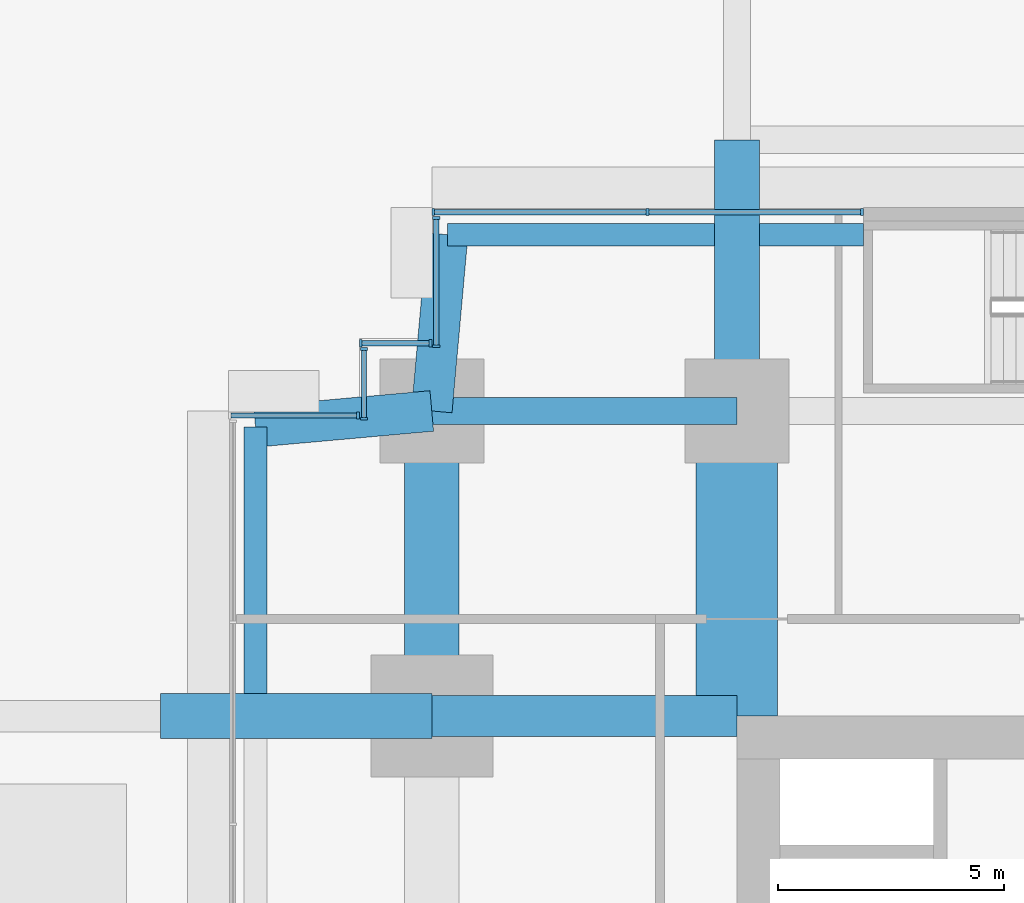
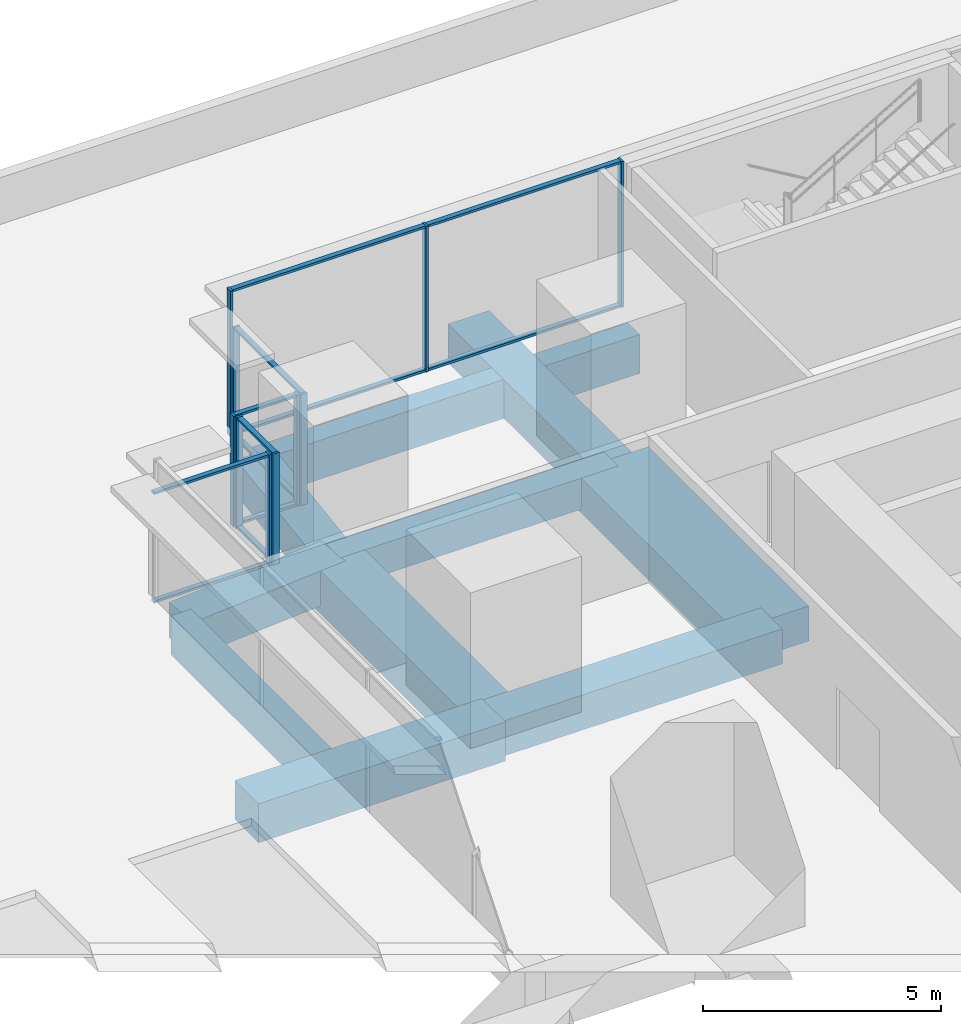
# One storey, part 17 of 34: 22 members, 11 beams, 5 elements without a shape of their own.
"""IFC4 building model written with IfcOpenShell, lengths in metres."""

from ifc_helpers import new_model, si_unit, direction, frame, origin, origin_2d, place, context, subcontext, project, spatial, rectangle, extrude, material, layer, layer_set, material_profile, profile_set, type_object, element, aggregate, save


model = new_model("IFC4")

# Units and contexts
model_context = context("Model", 3, precision=1e-05, world=origin(), true_north=direction((0.0, 1.0)))
body_context = subcontext(model_context, "Body", "Model", "MODEL_VIEW")
ifc_project = project(units=[si_unit("LENGTHUNIT", "METRE"), si_unit("AREAUNIT", "SQUARE_METRE"), si_unit("VOLUMEUNIT", "CUBIC_METRE"), si_unit("PLANEANGLEUNIT", "RADIAN"), si_unit("MASSUNIT", "GRAM", prefix="KILO")], contexts=[model_context])

# Site, building, storey
site_placement = place(None, origin())
site = spatial("IfcSite", under=ifc_project, at=site_placement, CompositionType="ELEMENT")
building_placement = place(site_placement, origin())
building = spatial("IfcBuilding", under=site, at=building_placement, Name="Namib Vertical Campus", CompositionType="ELEMENT")
storey_placement = place(building_placement, frame((0.0, 0.0, 21.0)))
storey = spatial("IfcBuildingStorey", under=building, at=storey_placement, Name="L04", CompositionType="ELEMENT", Elevation=21.0)

# Curtain wall, members
ifc_material_1 = material(Name="Black aluminium curtain wall", Category="aluminium")
ifc_layer = layer(ifc_material_1, 0.199951171875)
ifc_layer_set = layer_set([ifc_layer], Name="Lounge curtain wall CW-L4")
curtain_wall_type = type_object("IfcCurtainWallType", Name="Lounge curtain wall CW-L4", PredefinedType="USERDEFINED", material=ifc_layer_set)
curtain_wall_1_placement = place(storey_placement, origin())
curtain_wall_1 = element("IfcCurtainWall", 1, at=curtain_wall_1_placement, inside=storey, type_object=curtain_wall_type, Name="Curtain wall CW-L4 L04 F11-2", ObjectType="CURTAIN WALL", PredefinedType="USERDEFINED")
ifc_material_2 = material(Name="Black anodised aluminium", Category="aluminium")
ifc_material_profile_1 = material_profile(ifc_material_2, rectangle(XDim=0.06005859375, YDim=0.159912109375, at=origin_2d()))
ifc_profile_set_1 = profile_set([ifc_material_profile_1], Name="Black anodised aluminium")
member_type_1 = type_object("IfcMemberType", Name="Curtain wall mullion 60x160", PredefinedType="MULLION", material=ifc_profile_set_1)
member_1_placement = place(storey_placement, frame((77.02001953125, 40.39990234375, 0.0), z_axis=(0.0, 0.0, 1.0), x_axis=(-1.0, 0.0, 0.0)))
member_1 = element("IfcMember", 2, at=member_1_placement, type_object=member_type_1, Name="CW-L4 mullion 1", PredefinedType="MULLION", context=body_context, shape_type="SweptSolid", body=[
    extrude(rectangle(XDim=0.06005859375, YDim=0.159912109375, at=origin_2d()), origin(), (0.0, 0.0, 1.0), 3.75),
])
member_2_placement = place(storey_placement, frame((72.27490234375, 40.39990234375, 0.0), z_axis=(0.0, 0.0, 1.0), x_axis=(-1.0, 0.0, 0.0)))
member_2 = element("IfcMember", 3, at=member_2_placement, type_object=member_type_1, Name="CW-L4 mullion 2", PredefinedType="MULLION", context=body_context, shape_type="SweptSolid", body=[
    extrude(rectangle(XDim=0.06005859375, YDim=0.159912109375, at=origin_2d()), origin(), (0.0, 0.0, 1.0), 3.75),
])
member_3_placement = place(storey_placement, frame((67.530029296875, 40.39990234375, 0.0), z_axis=(0.0, 0.0, 1.0), x_axis=(-1.0, 0.0, 0.0)))
member_3 = element("IfcMember", 4, at=member_3_placement, type_object=member_type_1, Name="CW-L4 mullion 3", PredefinedType="MULLION", context=body_context, shape_type="SweptSolid", body=[
    extrude(rectangle(XDim=0.06005859375, YDim=0.159912109375, at=origin_2d()), origin(), (0.0, 0.0, 1.0), 3.75),
])

curtain_wall_2_placement = place(storey_placement, origin())
curtain_wall_2 = element("IfcCurtainWall", 5, at=curtain_wall_2_placement, inside=storey, type_object=curtain_wall_type, Name="Curtain wall CW-L4 L04 F12-1", ObjectType="CURTAIN WALL", PredefinedType="USERDEFINED")
member_4_placement = place(storey_placement, frame((67.60009765625, 40.27001953125, 0.0), z_axis=(0.0, 0.0, 1.0), x_axis=(0.0, -1.0, 0.0)))
member_4 = element("IfcMember", 6, at=member_4_placement, type_object=member_type_1, Name="CW-L4 mullion 1", PredefinedType="MULLION", context=body_context, shape_type="SweptSolid", body=[
    extrude(rectangle(XDim=0.06005859375, YDim=0.159912109375, at=origin_2d()), origin(), (0.0, 0.0, 1.0), 2.85009765625),
])
member_5_placement = place(storey_placement, frame((67.60009765625, 37.429931640625, 0.0), z_axis=(0.0, 0.0, 1.0), x_axis=(0.0, -1.0, 0.0)))
member_5 = element("IfcMember", 7, at=member_5_placement, type_object=member_type_1, Name="CW-L4 mullion 2", PredefinedType="MULLION", context=body_context, shape_type="SweptSolid", body=[
    extrude(rectangle(XDim=0.06005859375, YDim=0.159912109375, at=origin_2d()), origin(), (0.0, 0.0, 1.0), 2.85009765625),
])

curtain_wall_3_placement = place(storey_placement, origin())
curtain_wall_3 = element("IfcCurtainWall", 8, at=curtain_wall_3_placement, inside=storey, type_object=curtain_wall_type, Name="Curtain wall CW-L4 L04 F13-1", ObjectType="CURTAIN WALL", PredefinedType="USERDEFINED")
member_6_placement = place(storey_placement, frame((67.469970703125, 37.5, 0.0), z_axis=(0.0, 0.0, 1.0), x_axis=(-1.0, 0.0, 0.0)))
member_6 = element("IfcMember", 9, at=member_6_placement, type_object=member_type_1, Name="CW-L4 mullion 1", PredefinedType="MULLION", context=body_context, shape_type="SweptSolid", body=[
    extrude(rectangle(XDim=0.06005859375, YDim=0.159912109375, at=origin_2d()), origin(), (0.0, 0.0, 1.0), 2.85009765625),
])
member_7_placement = place(storey_placement, frame((65.929931640625, 37.5, 0.0), z_axis=(0.0, 0.0, 1.0), x_axis=(-1.0, 0.0, 0.0)))
member_7 = element("IfcMember", 10, at=member_7_placement, type_object=member_type_1, Name="CW-L4 mullion 2", PredefinedType="MULLION", context=body_context, shape_type="SweptSolid", body=[
    extrude(rectangle(XDim=0.06005859375, YDim=0.159912109375, at=origin_2d()), origin(), (0.0, 0.0, 1.0), 2.85009765625),
])

curtain_wall_4_placement = place(storey_placement, origin())
curtain_wall_4 = element("IfcCurtainWall", 11, at=curtain_wall_4_placement, inside=storey, type_object=curtain_wall_type, Name="Curtain wall CW-L4 L04 F14-1", ObjectType="CURTAIN WALL", PredefinedType="USERDEFINED")
member_8_placement = place(storey_placement, frame((66.0, 37.3701171875, 0.0), z_axis=(0.0, 0.0, 1.0), x_axis=(0.0, -1.0, 0.0)))
member_8 = element("IfcMember", 12, at=member_8_placement, type_object=member_type_1, Name="CW-L4 mullion 1", PredefinedType="MULLION", context=body_context, shape_type="SweptSolid", body=[
    extrude(rectangle(XDim=0.06005859375, YDim=0.159912109375, at=origin_2d()), origin(), (0.0, 0.0, 1.0), 2.85009765625),
])
member_9_placement = place(storey_placement, frame((66.0, 35.830078125, 0.0), z_axis=(0.0, 0.0, 1.0), x_axis=(0.0, -1.0, 0.0)))
member_9 = element("IfcMember", 13, at=member_9_placement, type_object=member_type_1, Name="CW-L4 mullion 2", PredefinedType="MULLION", context=body_context, shape_type="SweptSolid", body=[
    extrude(rectangle(XDim=0.06005859375, YDim=0.159912109375, at=origin_2d()), origin(), (0.0, 0.0, 1.0), 2.85009765625),
])

# Curtain wall, member
curtain_wall_5_placement = place(storey_placement, origin())
curtain_wall_5 = element("IfcCurtainWall", 14, at=curtain_wall_5_placement, inside=storey, type_object=curtain_wall_type, Name="Curtain wall CW-L4 L04 F15-1", ObjectType="CURTAIN WALL", PredefinedType="USERDEFINED")
member_10_placement = place(storey_placement, frame((65.8701171875, 35.89990234375, 0.0), z_axis=(0.0, 0.0, 1.0), x_axis=(-1.0, 0.0, 0.0)))
member_10 = element("IfcMember", 15, at=member_10_placement, type_object=member_type_1, Name="CW-L4 mullion 1", PredefinedType="MULLION", context=body_context, shape_type="SweptSolid", body=[
    extrude(rectangle(XDim=0.06005859375, YDim=0.159912109375, at=origin_2d()), origin(), (0.0, 0.0, 1.0), 2.85009765625),
])

# Member
ifc_material_3 = material(Name="Black anodised aluminium", Category="aluminium")
ifc_material_profile_2 = material_profile(ifc_material_3, rectangle(XDim=0.06005859375, YDim=0.1201171875, at=origin_2d()))
ifc_profile_set_2 = profile_set([ifc_material_profile_2], Name="Black anodised aluminium")
member_type_2 = type_object("IfcMemberType", Name="Curtain wall transom 60x120", PredefinedType="USERDEFINED", material=ifc_profile_set_2)
member_11_placement = place(storey_placement, frame((76.989990234375, 40.39990234375, 0.030029296875), z_axis=(-1.0, 0.0, 0.0), x_axis=(0.0, 0.0, 1.0)))
member_11 = element("IfcMember", 16, at=member_11_placement, type_object=member_type_2, Name="CW-L4 transom 1.1", ObjectType="TRANSOM", PredefinedType="USERDEFINED", context=body_context, shape_type="SweptSolid", body=[
    extrude(rectangle(XDim=0.06005859375, YDim=0.1201171875, at=origin_2d()), origin(), (0.0, 0.0, 1.0), 4.68505859375),
])

member_12_placement = place(storey_placement, frame((76.989990234375, 40.39990234375, 3.719970703125), z_axis=(-1.0, 0.0, 0.0), x_axis=(0.0, 0.0, 1.0)))
member_12 = element("IfcMember", 17, at=member_12_placement, type_object=member_type_2, Name="CW-L4 transom 1.2", ObjectType="TRANSOM", PredefinedType="USERDEFINED", context=body_context, shape_type="SweptSolid", body=[
    extrude(rectangle(XDim=0.06005859375, YDim=0.1201171875, at=origin_2d()), origin(), (0.0, 0.0, 1.0), 4.68505859375),
])

member_13_placement = place(storey_placement, frame((72.2451171875, 40.39990234375, 0.030029296875), z_axis=(-1.0, 0.0, 0.0), x_axis=(0.0, 0.0, 1.0)))
member_13 = element("IfcMember", 18, at=member_13_placement, type_object=member_type_2, Name="CW-L4 transom 2.1", ObjectType="TRANSOM", PredefinedType="USERDEFINED", context=body_context, shape_type="SweptSolid", body=[
    extrude(rectangle(XDim=0.06005859375, YDim=0.1201171875, at=origin_2d()), origin(), (0.0, 0.0, 1.0), 4.68505859375),
])

member_14_placement = place(storey_placement, frame((72.2451171875, 40.39990234375, 3.719970703125), z_axis=(-1.0, 0.0, 0.0), x_axis=(0.0, 0.0, 1.0)))
member_14 = element("IfcMember", 19, at=member_14_placement, type_object=member_type_2, Name="CW-L4 transom 2.2", ObjectType="TRANSOM", PredefinedType="USERDEFINED", context=body_context, shape_type="SweptSolid", body=[
    extrude(rectangle(XDim=0.06005859375, YDim=0.1201171875, at=origin_2d()), origin(), (0.0, 0.0, 1.0), 4.68505859375),
])

aggregate(curtain_wall_1, [member_1, member_2, member_3, member_11, member_12, member_13, member_14])

member_15_placement = place(storey_placement, frame((67.60009765625, 40.239990234375, 0.030029296875), z_axis=(0.0, -1.0, 0.0), x_axis=(0.0, 0.0, 1.0)))
member_15 = element("IfcMember", 20, at=member_15_placement, type_object=member_type_2, Name="CW-L4 transom 1.1", ObjectType="TRANSOM", PredefinedType="USERDEFINED", context=body_context, shape_type="SweptSolid", body=[
    extrude(rectangle(XDim=0.06005859375, YDim=0.1201171875, at=origin_2d()), origin(), (0.0, 0.0, 1.0), 2.780029296875),
])

member_16_placement = place(storey_placement, frame((67.60009765625, 40.239990234375, 2.820068359375), z_axis=(0.0, -1.0, 0.0), x_axis=(0.0, 0.0, 1.0)))
member_16 = element("IfcMember", 21, at=member_16_placement, type_object=member_type_2, Name="CW-L4 transom 1.2", ObjectType="TRANSOM", PredefinedType="USERDEFINED", context=body_context, shape_type="SweptSolid", body=[
    extrude(rectangle(XDim=0.06005859375, YDim=0.1201171875, at=origin_2d()), origin(), (0.0, 0.0, 1.0), 2.780029296875),
])

aggregate(curtain_wall_2, [member_4, member_5, member_15, member_16])

member_17_placement = place(storey_placement, frame((67.43994140625, 37.5, 0.030029296875), z_axis=(-1.0, 0.0, 0.0), x_axis=(0.0, 0.0, 1.0)))
member_17 = element("IfcMember", 22, at=member_17_placement, type_object=member_type_2, Name="CW-L4 transom 1.1", ObjectType="TRANSOM", PredefinedType="USERDEFINED", context=body_context, shape_type="SweptSolid", body=[
    extrude(rectangle(XDim=0.06005859375, YDim=0.1201171875, at=origin_2d()), origin(), (0.0, 0.0, 1.0), 1.47998046875),
])

member_18_placement = place(storey_placement, frame((67.43994140625, 37.5, 2.820068359375), z_axis=(-1.0, 0.0, 0.0), x_axis=(0.0, 0.0, 1.0)))
member_18 = element("IfcMember", 23, at=member_18_placement, type_object=member_type_2, Name="CW-L4 transom 1.2", ObjectType="TRANSOM", PredefinedType="USERDEFINED", context=body_context, shape_type="SweptSolid", body=[
    extrude(rectangle(XDim=0.06005859375, YDim=0.1201171875, at=origin_2d()), origin(), (0.0, 0.0, 1.0), 1.47998046875),
])

aggregate(curtain_wall_3, [member_6, member_7, member_17, member_18])

member_19_placement = place(storey_placement, frame((66.0, 37.340087890625, 0.030029296875), z_axis=(0.0, -1.0, 0.0), x_axis=(0.0, 0.0, 1.0)))
member_19 = element("IfcMember", 24, at=member_19_placement, type_object=member_type_2, Name="CW-L4 transom 1.1", ObjectType="TRANSOM", PredefinedType="USERDEFINED", context=body_context, shape_type="SweptSolid", body=[
    extrude(rectangle(XDim=0.06005859375, YDim=0.1201171875, at=origin_2d()), origin(), (0.0, 0.0, 1.0), 1.47998046875),
])

member_20_placement = place(storey_placement, frame((66.0, 37.340087890625, 2.820068359375), z_axis=(0.0, -1.0, 0.0), x_axis=(0.0, 0.0, 1.0)))
member_20 = element("IfcMember", 25, at=member_20_placement, type_object=member_type_2, Name="CW-L4 transom 1.2", ObjectType="TRANSOM", PredefinedType="USERDEFINED", context=body_context, shape_type="SweptSolid", body=[
    extrude(rectangle(XDim=0.06005859375, YDim=0.1201171875, at=origin_2d()), origin(), (0.0, 0.0, 1.0), 1.47998046875),
])

aggregate(curtain_wall_4, [member_8, member_9, member_19, member_20])

member_21_placement = place(storey_placement, frame((65.840087890625, 35.89990234375, 0.030029296875), z_axis=(-1.0, 0.0, 0.0), x_axis=(0.0, 0.0, 1.0)))
member_21 = element("IfcMember", 26, at=member_21_placement, type_object=member_type_2, Name="CW-L4 transom 1.1", ObjectType="TRANSOM", PredefinedType="USERDEFINED", context=body_context, shape_type="SweptSolid", body=[
    extrude(rectangle(XDim=0.06005859375, YDim=0.1201171875, at=origin_2d()), origin(), (0.0, 0.0, 1.0), 2.780029296875),
])

member_22_placement = place(storey_placement, frame((65.840087890625, 35.89990234375, 2.820068359375), z_axis=(-1.0, 0.0, 0.0), x_axis=(0.0, 0.0, 1.0)))
member_22 = element("IfcMember", 27, at=member_22_placement, type_object=member_type_2, Name="CW-L4 transom 1.2", ObjectType="TRANSOM", PredefinedType="USERDEFINED", context=body_context, shape_type="SweptSolid", body=[
    extrude(rectangle(XDim=0.06005859375, YDim=0.1201171875, at=origin_2d()), origin(), (0.0, 0.0, 1.0), 2.780029296875),
])

aggregate(curtain_wall_5, [member_10, member_21, member_22])

# Beams
ifc_material_4 = material(Name="Concrete C40/50", Category="concrete")
ifc_material_profile_3 = material_profile(ifc_material_4, rectangle(XDim=0.89990234375, YDim=0.89990234375, at=origin_2d()))
ifc_profile_set_3 = profile_set([ifc_material_profile_3], Name="Concrete C40/50")
beam_type_1 = type_object("IfcBeamType", Name="Face girder RC 900x900", PredefinedType="BEAM", material=ifc_profile_set_3)
beam_1_placement = place(storey_placement, frame((67.5, 29.25, -0.75), z_axis=(1.0, 0.0, 0.0), x_axis=(0.0, 1.0, 0.0)))
element("IfcBeam", 28, at=beam_1_placement, inside=storey, type_object=beam_type_1, Name="Beam B10 L04", PredefinedType="BEAM", context=body_context, shape_type="SweptSolid", body=[
    extrude(rectangle(XDim=0.89990234375, YDim=0.89990234375, at=origin_2d()), origin(), (0.0, 0.0, 1.0), 6.75),
])
ifc_material_5 = material(Name="Concrete C40/50", Category="concrete")
ifc_material_profile_4 = material_profile(ifc_material_5, rectangle(XDim=1.199951171875, YDim=1.10009765625, at=origin_2d()))
ifc_profile_set_4 = profile_set([ifc_material_profile_4], Name="Concrete C40/50")
beam_type_2 = type_object("IfcBeamType", Name="Face ring beam RC 1200x1100", PredefinedType="BEAM", material=ifc_profile_set_4)
beam_2_placement = place(storey_placement, frame((67.5, 29.25, -0.85009765625), z_axis=(0.0, 1.0, 0.0), x_axis=(-1.0, 0.0, 0.0)))
element("IfcBeam", 29, at=beam_2_placement, inside=storey, type_object=beam_type_2, Name="Beam B11 L04", PredefinedType="BEAM", context=body_context, shape_type="SweptSolid", body=[
    extrude(rectangle(XDim=1.199951171875, YDim=1.10009765625, at=origin_2d()), origin(), (0.0, 0.0, 1.0), 6.75),
])
ifc_material_6 = material(Name="Concrete C40/50", Category="concrete")
ifc_material_profile_5 = material_profile(ifc_material_6, rectangle(XDim=1.800048828125, YDim=0.89990234375, at=origin_2d()))
ifc_profile_set_5 = profile_set([ifc_material_profile_5], Name="Concrete C40/50")
beam_type_3 = type_object("IfcBeamType", Name="Outrigger line girder RC 1800x900", PredefinedType="BEAM", material=ifc_profile_set_5)
beam_3_placement = place(storey_placement, frame((74.25, 36.0, -0.75), z_axis=(0.0, -1.0, 0.0), x_axis=(1.0, 0.0, 0.0)))
element("IfcBeam", 30, at=beam_3_placement, inside=storey, type_object=beam_type_3, Name="Beam B12 L04", PredefinedType="BEAM", context=body_context, shape_type="SweptSolid", body=[
    extrude(rectangle(XDim=1.800048828125, YDim=0.89990234375, at=origin_2d()), origin(), (0.0, 0.0, 1.0), 6.75),
])
ifc_material_7 = material(Name="Concrete C40/50", Category="concrete")
ifc_material_profile_6 = material_profile(ifc_material_7, rectangle(XDim=0.89990234375, YDim=0.89990234375, at=origin_2d()))
ifc_profile_set_6 = profile_set([ifc_material_profile_6], Name="Concrete C40/50")
beam_type_4 = type_object("IfcBeamType", Name="Podium roof corner cantilever RC 900x900", PredefinedType="BEAM", material=ifc_profile_set_6)
for number, where, z_axis, x_axis, name in (
    (31, (67.5, 36.0, -0.75), (0.089411326146, 0.995994786511, 0.0), (-0.995994786511, 0.089411326146, 0.0), "Beam B13 L04"),
    (32, (67.5, 36.0, -0.75), (-0.995994786511, -0.089411326146, 0.0), (0.089411326146, -0.995994786511, 0.0), "Beam B13 L04"),
):
    element("IfcBeam", number, at=place(storey_placement, frame(where, z_axis=z_axis, x_axis=x_axis)), inside=storey, type_object=beam_type_4, Name=name, PredefinedType="BEAM", context=body_context, shape_type="SweptSolid", body=[
        extrude(rectangle(XDim=0.89990234375, YDim=0.89990234375, at=origin_2d()), origin(), (0.0, 0.0, 1.0), 3.91552734375),
    ])
ifc_material_8 = material(Name="Concrete C40/50", Category="concrete")
ifc_material_profile_7 = material_profile(ifc_material_8, rectangle(XDim=0.5, YDim=1.0, at=origin_2d()))
ifc_profile_set_7 = profile_set([ifc_material_profile_7], Name="Concrete C40/50")
beam_type_5 = type_object("IfcBeamType", Name="Podium roof edge beam RC 500x1000", PredefinedType="SPANDREL", material=ifc_profile_set_7)
beam_4_placement = place(storey_placement, frame((67.85009765625, 39.89990234375, -0.800048828125), z_axis=(1.0, 0.0, 0.0), x_axis=(0.0, 1.0, 0.0)))
element("IfcBeam", 33, at=beam_4_placement, inside=storey, type_object=beam_type_5, Name="Beam B8 L04", PredefinedType="SPANDREL", context=body_context, shape_type="SweptSolid", body=[
    extrude(rectangle(XDim=0.5, YDim=1.0, at=origin_2d()), origin(), (0.0, 0.0, 1.0), 5.89990234375),
])
beam_5_placement = place(storey_placement, frame((74.75, 39.89990234375, -0.800048828125), z_axis=(1.0, 0.0, 0.0), x_axis=(0.0, 1.0, 0.0)))
element("IfcBeam", 34, at=beam_5_placement, inside=storey, type_object=beam_type_5, Name="Beam B8 L04", PredefinedType="SPANDREL", context=body_context, shape_type="SweptSolid", body=[
    extrude(rectangle(XDim=0.5, YDim=1.0, at=origin_2d()), origin(), (0.0, 0.0, 1.0), 2.300048828125),
])
beam_6_placement = place(storey_placement, frame((63.60009765625, 29.75, -0.800048828125), z_axis=(0.0, 1.0, 0.0), x_axis=(-1.0, 0.0, 0.0)))
element("IfcBeam", 35, at=beam_6_placement, inside=storey, type_object=beam_type_5, Name="Beam B8 L04", PredefinedType="SPANDREL", context=body_context, shape_type="SweptSolid", body=[
    extrude(rectangle(XDim=0.5, YDim=1.0, at=origin_2d()), origin(), (0.0, 0.0, 1.0), 5.89990234375),
])
ifc_material_9 = material(Name="Concrete C40/50", Category="concrete")
ifc_material_profile_8 = material_profile(ifc_material_9, rectangle(XDim=1.0, YDim=1.0, at=origin_2d()))
ifc_profile_set_8 = profile_set([ifc_material_profile_8], Name="Concrete C40/50")
beam_type_6 = type_object("IfcBeamType", Name="Podium tie beam RC 1000x1000", PredefinedType="BEAM", material=ifc_profile_set_8)
for number, where, z_axis, x_axis, name in (
    (36, (74.25, 36.0, -0.800048828125), (0.0, 1.0, 0.0), (-1.0, 0.0, 0.0), "Beam PB3 L04"),
    (37, (61.5, 29.25, -0.800048828125), (1.0, 0.0, 0.0), (0.0, 1.0, 0.0), "Beam PB3 L04"),
):
    element("IfcBeam", number, at=place(storey_placement, frame(where, z_axis=z_axis, x_axis=x_axis)), inside=storey, type_object=beam_type_6, Name=name, PredefinedType="BEAM", context=body_context, shape_type="SweptSolid", body=[
        extrude(rectangle(XDim=1.0, YDim=1.0, at=origin_2d()), origin(), (0.0, 0.0, 1.0), 6.0),
    ])
ifc_material_10 = material(Name="Concrete C40/50", Category="concrete")
ifc_material_profile_9 = material_profile(ifc_material_10, rectangle(XDim=0.60009765625, YDim=0.800048828125, at=origin_2d()))
ifc_profile_set_9 = profile_set([ifc_material_profile_9], Name="Concrete C40/50")
beam_type_7 = type_object("IfcBeamType", Name="Ring beam RC 600x800", PredefinedType="BEAM", material=ifc_profile_set_9)
beam_7_placement = place(storey_placement, frame((67.5, 36.0, -0.699951171875), z_axis=(1.0, 0.0, 0.0), x_axis=(0.0, 1.0, 0.0)))
element("IfcBeam", 38, at=beam_7_placement, inside=storey, type_object=beam_type_7, Name="Beam B1 L04", PredefinedType="BEAM", context=body_context, shape_type="SweptSolid", body=[
    extrude(rectangle(XDim=0.60009765625, YDim=0.800048828125, at=origin_2d()), origin(), (0.0, 0.0, 1.0), 6.75),
])

save(model, "model.ifc")
